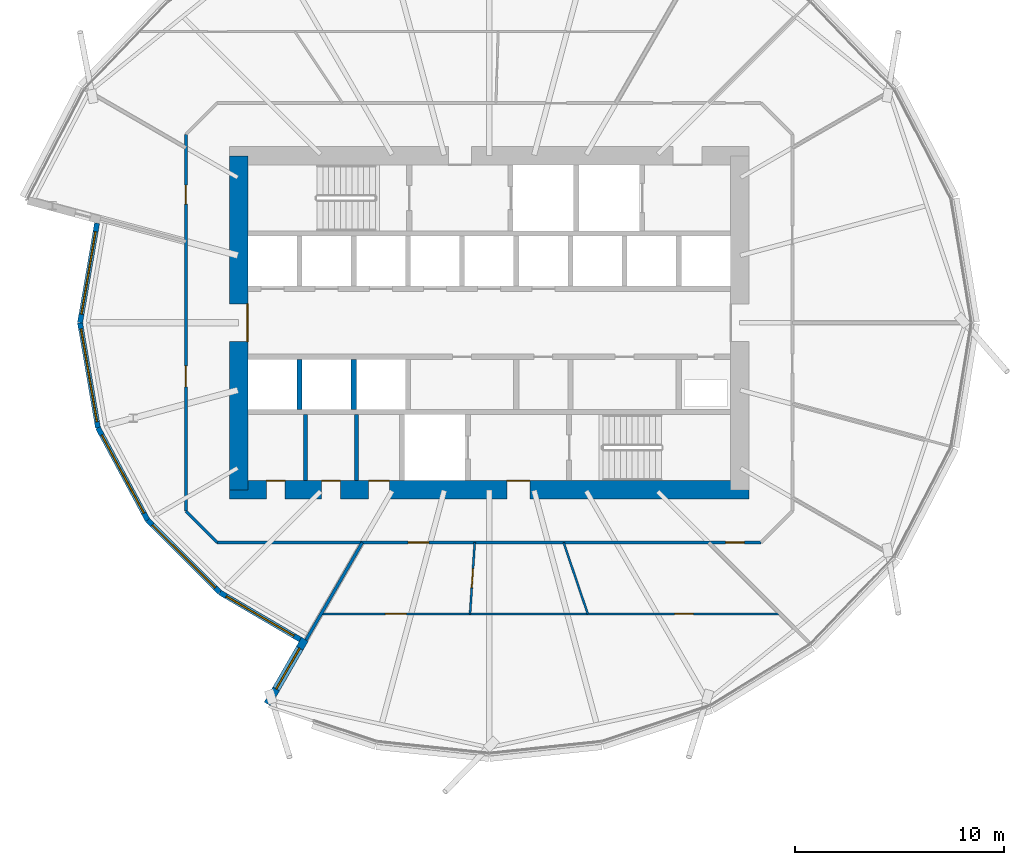
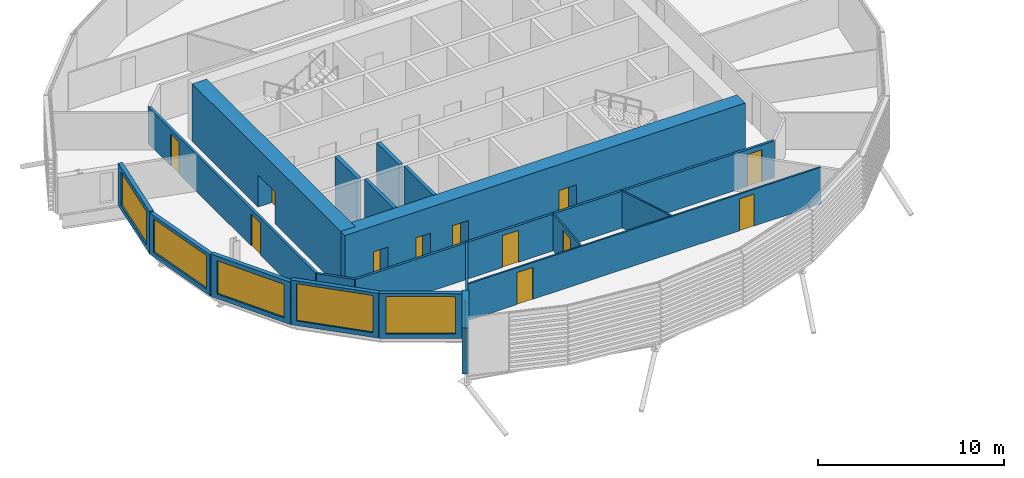
# One storey, part 21 of 37: 19 walls, 12 doors, 6 windows, 18 openings.
"""IFC4 building model written with IfcOpenShell, lengths in metres."""

from ifc_helpers import new_model, si_unit, direction, frame, frame_2d, origin, place, context, subcontext, project, spatial, rectangle, extrude, material, layer, layer_set, type_object, element, fill, save


model = new_model("IFC4")

# Units and contexts
model_context = context("Model", 3, precision=1e-05, world=origin(), true_north=direction((0.0, 1.0)))
body_context = subcontext(model_context, "Body", "Model", "MODEL_VIEW")
ifc_project = project(units=[si_unit("LENGTHUNIT", "METRE"), si_unit("AREAUNIT", "SQUARE_METRE"), si_unit("VOLUMEUNIT", "CUBIC_METRE"), si_unit("PLANEANGLEUNIT", "RADIAN"), si_unit("MASSUNIT", "GRAM", prefix="KILO")], contexts=[model_context])

# Site, building, storey
site_placement = place(None, origin())
site = spatial("IfcSite", under=ifc_project, at=site_placement, CompositionType="ELEMENT")
building_placement = place(site_placement, origin())
building = spatial("IfcBuilding", under=site, at=building_placement, Name="Rimbun Link Towers", CompositionType="ELEMENT")
storey_placement = place(building_placement, frame((0.0, 0.0, 60.39990234375)))
storey = spatial("IfcBuildingStorey", under=building, at=storey_placement, Name="L14", CompositionType="ELEMENT", Elevation=60.39990234375)

# Wall, opening, window
ifc_material_1 = material(Name="Dark enamelled glass spandrel on insulated aluminium backpan", Category="aluminium")
ifc_layer_1 = layer(ifc_material_1, 0.25)
ifc_layer_set_1 = layer_set([ifc_layer_1], Name="CS dark enamelled spandrel wall 250")
wall_type_1 = type_object("IfcWallType", Name="CS dark enamelled spandrel wall 250", PredefinedType="STANDARD", material=ifc_layer_set_1)
wall_1_placement = place(storey_placement, frame((-51.347900390625, 0.0, 0.0), z_axis=(0.0, 0.0, 1.0), x_axis=(0.168166241622, 0.985758649558, 0.0)))
wall_1 = element("IfcWall", 1, at=wall_1_placement, inside=storey, type_object=wall_type_1, Name="Crease spandrel wall", PredefinedType="STANDARD", context=body_context, shape_type="SweptSolid", body=[
    extrude(rectangle(XDim=4.84326171875, YDim=0.25, at=frame_2d((2.421630859375, 0.0))), origin(), (0.0, 0.0, 1.0), 2.78955078125),
])
opening_1_placement = place(wall_1_placement, frame((0.421630859375, 0.0, 0.300048828125)))
opening_1 = element("IfcOpeningElement", 2, at=opening_1_placement, cuts=wall_1, Name="Opening WR40H220", PredefinedType="OPENING", context=body_context, shape_type="SweptSolid", body=[
    extrude(rectangle(XDim=4.0, YDim=2.199951171875, at=frame_2d((2.0, 1.10009765625))), frame((0.0, 0.135009765625, 0.0), z_axis=(0.0, -1.0, 0.0), x_axis=(1.0, 0.0, 0.0)), (0.0, 0.0, 1.0), 0.27001953125),
])
ifc_material_2 = material(Name="Aluminium framed fixed window, dark tinted low-e glass", Category="aluminium")
window_type_1 = type_object("IfcWindowType", Name="WR ribbon window 4000X2200", PartitioningType="SINGLE_PANEL", PredefinedType="WINDOW", material=ifc_material_2)
window_1_placement = place(opening_1_placement, origin())
window_1 = element("IfcWindow", 3, at=window_1_placement, inside=storey, type_object=window_type_1, Name="Crease ribbon window", OverallHeight=2.199951171875, OverallWidth=4.0, PartitioningType="SINGLE_PANEL", PredefinedType="WINDOW", context=body_context, shape_type="SweptSolid", body=[
    extrude(rectangle(XDim=4.0, YDim=2.199951171875, at=frame_2d((2.0, 1.10009765625))), frame((0.0, 0.030029296875, 0.0), z_axis=(0.0, -1.0, 0.0), x_axis=(1.0, 0.0, 0.0)), (0.0, 0.0, 1.0), 0.06005859375),
])
fill(opening_1, window_1)

wall_2_placement = place(storey_placement, frame((-50.48974609375, -5.0302734375, 0.0), z_axis=(0.0, 0.0, 1.0), x_axis=(-0.168168336111, 0.985758292245, 0.0)))
wall_2 = element("IfcWall", 4, at=wall_2_placement, inside=storey, type_object=wall_type_1, Name="Crease spandrel wall", PredefinedType="STANDARD", context=body_context, shape_type="SweptSolid", body=[
    extrude(rectangle(XDim=5.10302734375, YDim=0.25, at=frame_2d((2.551513671875, 0.0))), origin(), (0.0, 0.0, 1.0), 2.711669921875),
])
opening_2_placement = place(wall_2_placement, frame((0.301513671875, 0.0, 0.300048828125)))
opening_2 = element("IfcOpeningElement", 5, at=opening_2_placement, cuts=wall_2, Name="Opening WR45H220", PredefinedType="OPENING", context=body_context, shape_type="SweptSolid", body=[
    extrude(rectangle(XDim=4.5, YDim=2.199951171875, at=frame_2d((2.25, 1.10009765625))), frame((0.0, 0.135009765625, 0.0), z_axis=(0.0, -1.0, 0.0), x_axis=(1.0, 0.0, 0.0)), (0.0, 0.0, 1.0), 0.27001953125),
])
ifc_material_3 = material(Name="Aluminium framed fixed window, dark tinted low-e glass", Category="aluminium")
window_type_2 = type_object("IfcWindowType", Name="WR ribbon window 4500X2200", PartitioningType="SINGLE_PANEL", PredefinedType="WINDOW", material=ifc_material_3)
window_2_placement = place(opening_2_placement, origin())
window_2 = element("IfcWindow", 6, at=window_2_placement, inside=storey, type_object=window_type_2, Name="Crease ribbon window", OverallHeight=2.199951171875, OverallWidth=4.5, PartitioningType="SINGLE_PANEL", PredefinedType="WINDOW", context=body_context, shape_type="SweptSolid", body=[
    extrude(rectangle(XDim=4.5, YDim=2.199951171875, at=frame_2d((2.25, 1.10009765625))), frame((0.0, 0.030029296875, 0.0), z_axis=(0.0, -1.0, 0.0), x_axis=(1.0, 0.0, 0.0)), (0.0, 0.0, 1.0), 0.06005859375),
])
fill(opening_2, window_2)

wall_3_placement = place(storey_placement, frame((-48.107177734375, -9.460693359375, 0.0), z_axis=(0.0, 0.0, 1.0), x_axis=(-0.473630902939, 0.880723434332, 0.0)))
wall_3 = element("IfcWall", 7, at=wall_3_placement, inside=storey, type_object=wall_type_1, Name="Crease spandrel wall", PredefinedType="STANDARD", context=body_context, shape_type="SweptSolid", body=[
    extrude(rectangle(XDim=5.030517578125, YDim=0.25, at=frame_2d((2.51513671875, 0.0))), origin(), (0.0, 0.0, 1.0), 2.78955078125),
])
opening_3_placement = place(wall_3_placement, frame((0.39013671875, 0.0, 0.300048828125)))
opening_3 = element("IfcOpeningElement", 8, at=opening_3_placement, cuts=wall_3, Name="Opening WR42H220", PredefinedType="OPENING", context=body_context, shape_type="SweptSolid", body=[
    extrude(rectangle(XDim=4.25, YDim=2.199951171875, at=frame_2d((2.125, 1.10009765625))), frame((0.0, 0.135009765625, 0.0), z_axis=(0.0, -1.0, 0.0), x_axis=(1.0, 0.0, 0.0)), (0.0, 0.0, 1.0), 0.27001953125),
])
ifc_material_4 = material(Name="Aluminium framed fixed window, dark tinted low-e glass", Category="aluminium")
window_type_3 = type_object("IfcWindowType", Name="WR ribbon window 4250X2200", PartitioningType="SINGLE_PANEL", PredefinedType="WINDOW", material=ifc_material_4)
window_3_placement = place(opening_3_placement, origin())
window_3 = element("IfcWindow", 9, at=window_3_placement, inside=storey, type_object=window_type_3, Name="Crease ribbon window", OverallHeight=2.199951171875, OverallWidth=4.25, PartitioningType="SINGLE_PANEL", PredefinedType="WINDOW", context=body_context, shape_type="SweptSolid", body=[
    extrude(rectangle(XDim=4.25, YDim=2.199951171875, at=frame_2d((2.125, 1.10009765625))), frame((0.0, 0.030029296875, 0.0), z_axis=(0.0, -1.0, 0.0), x_axis=(1.0, 0.0, 0.0)), (0.0, 0.0, 1.0), 0.06005859375),
])
fill(opening_3, window_3)

wall_4_placement = place(storey_placement, frame((-44.64697265625, -12.919677734375, 0.0), z_axis=(0.0, 0.0, 1.0), x_axis=(-0.707231519974, 0.70698202039, 0.0)))
wall_4 = element("IfcWall", 10, at=wall_4_placement, inside=storey, type_object=wall_type_1, Name="Crease spandrel wall", PredefinedType="STANDARD", context=body_context, shape_type="SweptSolid", body=[
    extrude(rectangle(XDim=4.892578125, YDim=0.25, at=frame_2d((2.4462890625, 0.0))), origin(), (0.0, 0.0, 1.0), 2.94677734375),
])
opening_4_placement = place(wall_4_placement, frame((0.3212890625, 0.0, 0.300048828125)))
opening_4 = element("IfcOpeningElement", 11, at=opening_4_placement, cuts=wall_4, Name="Opening WR42H245", PredefinedType="OPENING", context=body_context, shape_type="SweptSolid", body=[
    extrude(rectangle(XDim=4.25, YDim=2.449951171875, at=frame_2d((2.125, 1.22509765625))), frame((0.0, 0.135009765625, 0.0), z_axis=(0.0, -1.0, 0.0), x_axis=(1.0, 0.0, 0.0)), (0.0, 0.0, 1.0), 0.27001953125),
])
ifc_material_5 = material(Name="Aluminium framed fixed window, dark tinted low-e glass", Category="aluminium")
window_type_4 = type_object("IfcWindowType", Name="WR ribbon window 4250X2450", PartitioningType="SINGLE_PANEL", PredefinedType="WINDOW", material=ifc_material_5)
window_4_placement = place(opening_4_placement, origin())
window_4 = element("IfcWindow", 12, at=window_4_placement, inside=storey, type_object=window_type_4, Name="Crease ribbon window", OverallHeight=2.449951171875, OverallWidth=4.25, PartitioningType="SINGLE_PANEL", PredefinedType="WINDOW", context=body_context, shape_type="SweptSolid", body=[
    extrude(rectangle(XDim=4.25, YDim=2.449951171875, at=frame_2d((2.125, 1.22509765625))), frame((0.0, 0.030029296875, 0.0), z_axis=(0.0, -1.0, 0.0), x_axis=(1.0, 0.0, 0.0)), (0.0, 0.0, 1.0), 0.06005859375),
])
fill(opening_4, window_4)

wall_5_placement = place(storey_placement, frame((-40.79931640625, -15.173583984375, 0.0), z_axis=(0.0, 0.0, 1.0), x_axis=(-0.86285607233, 0.505449699222, 0.0)))
wall_5 = element("IfcWall", 13, at=wall_5_placement, inside=storey, type_object=wall_type_1, Name="Crease spandrel wall", PredefinedType="STANDARD", context=body_context, shape_type="SweptSolid", body=[
    extrude(rectangle(XDim=4.459228515625, YDim=0.25, at=frame_2d((2.2294921875, 0.0))), origin(), (0.0, 0.0, 1.0), 2.94677734375),
])
opening_5_placement = place(wall_5_placement, frame((0.354736328125, 0.0, 0.300048828125)))
opening_5 = element("IfcOpeningElement", 14, at=opening_5_placement, cuts=wall_5, Name="Opening WR38H245", PredefinedType="OPENING", context=body_context, shape_type="SweptSolid", body=[
    extrude(rectangle(XDim=3.75, YDim=2.449951171875, at=frame_2d((1.875, 1.22509765625))), frame((0.0, 0.135009765625, 0.0), z_axis=(0.0, -1.0, 0.0), x_axis=(1.0, 0.0, 0.0)), (0.0, 0.0, 1.0), 0.27001953125),
])
ifc_material_6 = material(Name="Aluminium framed fixed window, dark tinted low-e glass", Category="aluminium")
window_type_5 = type_object("IfcWindowType", Name="WR ribbon window 3750X2450", PartitioningType="SINGLE_PANEL", PredefinedType="WINDOW", material=ifc_material_6)
window_5_placement = place(opening_5_placement, origin())
window_5 = element("IfcWindow", 15, at=window_5_placement, inside=storey, type_object=window_type_5, Name="Crease ribbon window", OverallHeight=2.449951171875, OverallWidth=3.75, PartitioningType="SINGLE_PANEL", PredefinedType="WINDOW", context=body_context, shape_type="SweptSolid", body=[
    extrude(rectangle(XDim=3.75, YDim=2.449951171875, at=frame_2d((1.875, 1.22509765625))), frame((0.0, 0.030029296875, 0.0), z_axis=(0.0, -1.0, 0.0), x_axis=(1.0, 0.0, 0.0)), (0.0, 0.0, 1.0), 0.06005859375),
])
fill(opening_5, window_5)

ifc_material_7 = material(Name="Dark enamelled glass spandrel on insulated aluminium backpan", Category="aluminium")
ifc_layer_2 = layer(ifc_material_7, 0.3701171875)
ifc_layer_set_2 = layer_set([ifc_layer_2], Name="CS dark enamelled spandrel wall 370")
wall_type_2 = type_object("IfcWallType", Name="CS dark enamelled spandrel wall 370", PredefinedType="STANDARD", material=ifc_layer_set_2)
wall_6_placement = place(storey_placement, frame((-42.3671875, -18.259765625, 0.0), z_axis=(0.0, 0.0, 1.0), x_axis=(0.499931032753, 0.866065218382, 0.0)))
wall_6 = element("IfcWall", 16, at=wall_6_placement, inside=storey, type_object=wall_type_2, Name="Crease spandrel wall", PredefinedType="STANDARD", context=body_context, shape_type="SweptSolid", body=[
    extrude(rectangle(XDim=3.580078125, YDim=0.3701171875, at=frame_2d((1.7900390625, 0.0))), origin(), (0.0, 0.0, 1.0), 3.027587890625),
])
opening_6_placement = place(wall_6_placement, frame((0.82958984375, 0.0, 0.300048828125)))
opening_6 = element("IfcOpeningElement", 17, at=opening_6_placement, cuts=wall_6, Name="Opening WR22H245", PredefinedType="OPENING", context=body_context, shape_type="SweptSolid", body=[
    extrude(rectangle(XDim=2.25, YDim=2.449951171875, at=frame_2d((1.125, 1.22509765625))), frame((0.0, 0.195068359375, 0.0), z_axis=(0.0, -1.0, 0.0), x_axis=(1.0, 0.0, 0.0)), (0.0, 0.0, 1.0), 0.39013671875),
])
ifc_material_8 = material(Name="Aluminium framed fixed window, dark tinted low-e glass", Category="aluminium")
window_type_6 = type_object("IfcWindowType", Name="WR ribbon window 2250X2450", PartitioningType="SINGLE_PANEL", PredefinedType="WINDOW", material=ifc_material_8)
window_6_placement = place(opening_6_placement, origin())
window_6 = element("IfcWindow", 18, at=window_6_placement, inside=storey, type_object=window_type_6, Name="Crease ribbon window", OverallHeight=2.449951171875, OverallWidth=2.25, PartitioningType="SINGLE_PANEL", PredefinedType="WINDOW", context=body_context, shape_type="SweptSolid", body=[
    extrude(rectangle(XDim=2.25, YDim=2.449951171875, at=frame_2d((1.125, 1.22509765625))), frame((0.0, 0.030029296875, 0.0), z_axis=(0.0, -1.0, 0.0), x_axis=(1.0, 0.0, 0.0)), (0.0, 0.0, 1.0), 0.06005859375),
])
fill(opening_6, window_6)

# Walls
ifc_material_9 = material(Name="Masonry blockwork", Category="masonry")
ifc_layer_3 = layer(ifc_material_9, 0.199951171875)
ifc_layer_set_3 = layer_set([ifc_layer_3], Name="Core partition 200")
wall_type_3 = type_object("IfcWallType", Name="Core partition 200", PredefinedType="PARTITIONING", material=ifc_layer_set_3)
for number, where, z_axis, x_axis, name in (
    (19, (-40.550048828125, -4.39990234375, 0.0), (0.0, 0.0, 1.0), (0.0, -1.0, 0.0), "L14 T1 core wall C1"),
    (20, (-38.10009765625, -4.39990234375, 0.0), (0.0, 0.0, 1.0), (0.0, -1.0, 0.0), "L14 T1 core wall C2"),
):
    element("IfcWall", number, at=place(storey_placement, frame(where, z_axis=z_axis, x_axis=x_axis)), inside=storey, type_object=wall_type_3, Name=name, PredefinedType="PARTITIONING", context=body_context, shape_type="SweptSolid", body=[
        extrude(rectangle(XDim=3.150146484375, YDim=0.199951171875, at=frame_2d((1.5751953125, 0.0))), origin(), (0.0, 0.0, 1.0), 3.800048828125),
    ])

# Wall, openings, doors
ifc_material_10 = material(Name="Concrete C60/75", Category="concrete")
ifc_layer_4 = layer(ifc_material_10, 0.89990234375)
ifc_layer_set_4 = layer_set([ifc_layer_4], Name="Core shear wall 900")
wall_type_4 = type_object("IfcWallType", Name="Core shear wall 900", PredefinedType="SHEAR", material=ifc_layer_set_4)
wall_7_placement = place(storey_placement, frame((-44.199951171875, -8.0, 0.0), z_axis=(0.0, 0.0, 1.0), x_axis=(1.0, 0.0, 0.0)))
wall_7 = element("IfcWall", 21, at=wall_7_placement, inside=storey, type_object=wall_type_4, Name="L14 T1 core wall S", PredefinedType="SHEAR", context=body_context, shape_type="SweptSolid", body=[
    extrude(rectangle(XDim=24.89990234375, YDim=0.89990234375, at=frame_2d((12.449951171875, 0.0))), origin(), (0.0, 0.0, 1.0), 3.800048828125),
])
opening_7_placement = place(wall_7_placement, frame((13.300048828125, 0.0, 0.0)))
opening_7 = element("IfcOpeningElement", 22, at=opening_7_placement, cuts=wall_7, Name="Opening C1DCF01S", PredefinedType="OPENING", context=body_context, shape_type="SweptSolid", body=[
    extrude(rectangle(XDim=1.10009765625, YDim=2.10009765625, at=frame_2d((0.550048828125, 1.050048828125))), frame((0.0, 0.4599609375, 0.0), z_axis=(0.0, -1.0, 0.0), x_axis=(1.0, 0.0, 0.0)), (0.0, 0.0, 1.0), 0.919921875),
])
opening_8_placement = place(wall_7_placement, frame((1.77490234375, 0.0, 0.0)))
opening_8 = element("IfcOpeningElement", 23, at=opening_8_placement, cuts=wall_7, Name="Opening C1DWC02S", PredefinedType="OPENING", context=body_context, shape_type="SweptSolid", body=[
    extrude(rectangle(XDim=0.89990234375, YDim=2.10009765625, at=frame_2d((0.449951171875, 1.050048828125))), frame((0.0, 0.4599609375, 0.0), z_axis=(0.0, -1.0, 0.0), x_axis=(1.0, 0.0, 0.0)), (0.0, 0.0, 1.0), 0.919921875),
])
opening_9_placement = place(wall_7_placement, frame((4.425048828125, 0.0, 0.0)))
opening_9 = element("IfcOpeningElement", 24, at=opening_9_placement, cuts=wall_7, Name="Opening C1DWC03S", PredefinedType="OPENING", context=body_context, shape_type="SweptSolid", body=[
    extrude(rectangle(XDim=0.89990234375, YDim=2.10009765625, at=frame_2d((0.449951171875, 1.050048828125))), frame((0.0, 0.4599609375, 0.0), z_axis=(0.0, -1.0, 0.0), x_axis=(1.0, 0.0, 0.0)), (0.0, 0.0, 1.0), 0.919921875),
])
opening_10_placement = place(wall_7_placement, frame((6.675048828125, 0.0, 0.0)))
opening_10 = element("IfcOpeningElement", 25, at=opening_10_placement, cuts=wall_7, Name="Opening C1DAW04S", PredefinedType="OPENING", context=body_context, shape_type="SweptSolid", body=[
    extrude(rectangle(XDim=1.0, YDim=2.10009765625, at=frame_2d((0.5, 1.050048828125))), frame((0.0, 0.4599609375, 0.0), z_axis=(0.0, -1.0, 0.0), x_axis=(1.0, 0.0, 0.0)), (0.0, 0.0, 1.0), 0.919921875),
])
ifc_material_11 = material(Name="Timber", Category="wood")
door_type_1 = type_object("IfcDoorType", Name="Accessible WC door", OperationType="SINGLE_SWING_LEFT", PredefinedType="DOOR", material=ifc_material_11)
door_1_placement = place(opening_10_placement, origin())
door_1 = element("IfcDoor", 26, at=door_1_placement, inside=storey, type_object=door_type_1, Name="L14 T1 accessible wc door", OperationType="SINGLE_SWING_RIGHT", OverallHeight=2.10009765625, OverallWidth=1.0, PredefinedType="DOOR", context=body_context, shape_type="SweptSolid", body=[
    extrude(rectangle(XDim=1.0, YDim=2.10009765625, at=frame_2d((0.5, 1.050048828125))), frame((0.0, 0.4501953125, 0.0), z_axis=(0.0, -1.0, 0.0), x_axis=(1.0, 0.0, 0.0)), (0.0, 0.0, 1.0), 0.050048828125),
])
fill(opening_10, door_1)
ifc_material_12 = material(Name="Steel fire door set", Category="steel")
door_type_2 = type_object("IfcDoorType", Name="Core fire door single", OperationType="SINGLE_SWING_LEFT", PredefinedType="DOOR", material=ifc_material_12)
door_2_placement = place(opening_7_placement, origin())
door_2 = element("IfcDoor", 27, at=door_2_placement, inside=storey, type_object=door_type_2, Name="L14 T1 firefighting lobby s door", OperationType="SINGLE_SWING_RIGHT", OverallHeight=2.10009765625, OverallWidth=1.10009765625, PredefinedType="DOOR", context=body_context, shape_type="SweptSolid", body=[
    extrude(rectangle(XDim=1.10009765625, YDim=2.10009765625, at=frame_2d((0.550048828125, 1.050048828125))), frame((0.0, 0.4501953125, 0.0), z_axis=(0.0, -1.0, 0.0), x_axis=(1.0, 0.0, 0.0)), (0.0, 0.0, 1.0), 0.050048828125),
])
fill(opening_7, door_2)
ifc_material_13 = material(Name="Timber", Category="wood")
door_type_3 = type_object("IfcDoorType", Name="WC door", OperationType="SINGLE_SWING_LEFT", PredefinedType="DOOR", material=ifc_material_13)
door_3_placement = place(opening_8_placement, origin())
door_3 = element("IfcDoor", 28, at=door_3_placement, inside=storey, type_object=door_type_3, Name="L14 T1 male wc door", OperationType="SINGLE_SWING_RIGHT", OverallHeight=2.10009765625, OverallWidth=0.89990234375, PredefinedType="DOOR", context=body_context, shape_type="SweptSolid", body=[
    extrude(rectangle(XDim=0.89990234375, YDim=2.10009765625, at=frame_2d((0.449951171875, 1.050048828125))), frame((0.0, 0.4501953125, 0.0), z_axis=(0.0, -1.0, 0.0), x_axis=(1.0, 0.0, 0.0)), (0.0, 0.0, 1.0), 0.050048828125),
])
fill(opening_8, door_3)
door_4_placement = place(opening_9_placement, origin())
door_4 = element("IfcDoor", 29, at=door_4_placement, inside=storey, type_object=door_type_3, Name="L14 T1 female wc door", OperationType="SINGLE_SWING_LEFT", OverallHeight=2.10009765625, OverallWidth=0.89990234375, PredefinedType="DOOR", context=body_context, shape_type="SweptSolid", body=[
    extrude(rectangle(XDim=0.89990234375, YDim=2.10009765625, at=frame_2d((0.449951171875, 1.050048828125))), frame((0.0, 0.4501953125, 0.0), z_axis=(0.0, -1.0, 0.0), x_axis=(1.0, 0.0, 0.0)), (0.0, 0.0, 1.0), 0.050048828125),
])
fill(opening_9, door_4)

# Wall, opening, door
wall_8_placement = place(storey_placement, frame((-43.75, -8.0, 0.0), z_axis=(0.0, 0.0, 1.0), x_axis=(0.0, 1.0, 0.0)))
wall_8 = element("IfcWall", 30, at=wall_8_placement, inside=storey, type_object=wall_type_4, Name="L14 T1 core wall W", PredefinedType="SHEAR", context=body_context, shape_type="SweptSolid", body=[
    extrude(rectangle(XDim=16.0, YDim=0.89990234375, at=frame_2d((8.0, 0.0))), origin(), (0.0, 0.0, 1.0), 3.800048828125),
])
opening_11_placement = place(wall_8_placement, frame((7.10009765625, 0.0, 0.0)))
opening_11 = element("IfcOpeningElement", 31, at=opening_11_placement, cuts=wall_8, Name="Opening C1DCL01W", PredefinedType="OPENING", context=body_context, shape_type="SweptSolid", body=[
    extrude(rectangle(XDim=1.800048828125, YDim=2.10009765625, at=frame_2d((0.89990234375, 1.050048828125))), frame((0.0, 0.4599609375, 0.0), z_axis=(0.0, -1.0, 0.0), x_axis=(1.0, 0.0, 0.0)), (0.0, 0.0, 1.0), 0.919921875),
])
ifc_material_14 = material(Name="Steel fire door set", Category="steel")
door_type_4 = type_object("IfcDoorType", Name="Core lobby door double", OperationType="DOUBLE_DOOR_SINGLE_SWING", PredefinedType="DOOR", material=ifc_material_14)
door_5_placement = place(opening_11_placement, origin())
door_5 = element("IfcDoor", 32, at=door_5_placement, inside=storey, type_object=door_type_4, Name="L14 T1 lift lobby door", OperationType="DOUBLE_DOOR_SINGLE_SWING", OverallHeight=2.10009765625, OverallWidth=1.800048828125, PredefinedType="DOOR", context=body_context, shape_type="SweptSolid", body=[
    extrude(rectangle(XDim=1.800048828125, YDim=2.10009765625, at=frame_2d((0.89990234375, 1.050048828125))), frame((0.0, -0.39990234375, 0.0), z_axis=(0.0, -1.0, 0.0), x_axis=(1.0, 0.0, 0.0)), (0.0, 0.0, 1.0), 0.050048828125),
])
fill(opening_11, door_5)

# Wall, openings, doors
ifc_material_15 = material(Name="Plasterboard on steel stud, mineral wool", Category="steel")
ifc_layer_5 = layer(ifc_material_15, 0.14990234375)
ifc_layer_set_5 = layer_set([ifc_layer_5], Name="Corridor wall EI 30 150 mm")
wall_type_5 = type_object("IfcWallType", Name="Corridor wall EI 30 150 mm", PredefinedType="PARTITIONING", material=ifc_layer_set_5)
wall_9_placement = place(storey_placement, frame((-18.723388671875, -10.52490234375, 0.0), z_axis=(0.0, 0.0, 1.0), x_axis=(-1.0, 0.0, 0.0)))
wall_9 = element("IfcWall", 33, at=wall_9_placement, inside=storey, type_object=wall_type_5, Name="Corridor wall EI 30 150 mm", PredefinedType="PARTITIONING", context=body_context, shape_type="SweptSolid", body=[
    extrude(rectangle(XDim=26.05322265625, YDim=0.14990234375, at=frame_2d((13.026611328125, 0.0))), origin(), (0.0, 0.0, 1.0), 2.420166015625),
])
opening_12_placement = place(wall_9_placement, frame((15.91064453125, 0.0, 0.0)))
opening_12 = element("IfcOpeningElement", 34, at=opening_12_placement, cuts=wall_9, Name="Opening D01", PredefinedType="OPENING", context=body_context, shape_type="SweptSolid", body=[
    extrude(rectangle(XDim=1.0, YDim=2.10009765625, at=frame_2d((0.5, 1.050048828125))), frame((0.0, 0.0849609375, 0.0), z_axis=(0.0, -1.0, 0.0), x_axis=(1.0, 0.0, 0.0)), (0.0, 0.0, 1.0), 0.169921875),
])
opening_13_placement = place(wall_9_placement, frame((0.80078125, 0.0, 0.0)))
opening_13 = element("IfcOpeningElement", 35, at=opening_13_placement, cuts=wall_9, Name="Opening D02", PredefinedType="OPENING", context=body_context, shape_type="SweptSolid", body=[
    extrude(rectangle(XDim=0.89990234375, YDim=2.10009765625, at=frame_2d((0.449951171875, 1.050048828125))), frame((0.0, 0.0849609375, 0.0), z_axis=(0.0, -1.0, 0.0), x_axis=(1.0, 0.0, 0.0)), (0.0, 0.0, 1.0), 0.169921875),
])
ifc_material_16 = material(Name="Fire-resisting timber door leaf", Category="wood")
door_type_5 = type_object("IfcDoorType", Name="Fire door FD30S 1000", OperationType="NOTDEFINED", PredefinedType="DOOR", material=ifc_material_16)
door_6_placement = place(opening_12_placement, origin())
door_6 = element("IfcDoor", 36, at=door_6_placement, inside=storey, type_object=door_type_5, Name="Fire door FD30S 1000 to Reception", OperationType="SINGLE_SWING_LEFT", OverallHeight=2.10009765625, OverallWidth=1.0, PredefinedType="DOOR", context=body_context, shape_type="SweptSolid", body=[
    extrude(rectangle(XDim=1.0, YDim=2.10009765625, at=frame_2d((0.5, 1.050048828125))), frame((0.0, 0.02490234375, 0.0), z_axis=(0.0, -1.0, 0.0), x_axis=(1.0, 0.0, 0.0)), (0.0, 0.0, 1.0), 0.050048828125),
])
fill(opening_12, door_6)
ifc_material_17 = material(Name="Fire-resisting timber door leaf", Category="wood")
door_type_6 = type_object("IfcDoorType", Name="Fire door FD30S 900", OperationType="NOTDEFINED", PredefinedType="DOOR", material=ifc_material_17)
door_7_placement = place(opening_13_placement, origin())
door_7 = element("IfcDoor", 37, at=door_7_placement, inside=storey, type_object=door_type_6, Name="Fire door FD30S 900 to Cellular office", OperationType="SINGLE_SWING_LEFT", OverallHeight=2.10009765625, OverallWidth=0.89990234375, PredefinedType="DOOR", context=body_context, shape_type="SweptSolid", body=[
    extrude(rectangle(XDim=0.89990234375, YDim=2.10009765625, at=frame_2d((0.449951171875, 1.050048828125))), frame((0.0, 0.02490234375, 0.0), z_axis=(0.0, -1.0, 0.0), x_axis=(1.0, 0.0, 0.0)), (0.0, 0.0, 1.0), 0.050048828125),
])
fill(opening_13, door_7)

# Wall
wall_10_placement = place(storey_placement, frame((-46.27490234375, -9.026611328125, 0.0), z_axis=(0.0, 0.0, 1.0), x_axis=(0.707106781187, -0.707106781187, 0.0)))
element("IfcWall", 38, at=wall_10_placement, inside=storey, type_object=wall_type_5, Name="Corridor wall EI 30 150 mm", PredefinedType="PARTITIONING", context=body_context, shape_type="SweptSolid", body=[
    extrude(rectangle(XDim=2.118896484375, YDim=0.14990234375, at=frame_2d((1.0595703125, 0.0))), origin(), (0.0, 0.0, 1.0), 2.420166015625),
])

# Wall, openings, doors
wall_11_placement = place(storey_placement, frame((-46.27490234375, -9.026611328125, 0.0), z_axis=(0.0, 0.0, 1.0), x_axis=(0.0, 1.0, 0.0)))
wall_11 = element("IfcWall", 39, at=wall_11_placement, inside=storey, type_object=wall_type_5, Name="Corridor wall EI 30 150 mm", PredefinedType="PARTITIONING", context=body_context, shape_type="SweptSolid", body=[
    extrude(rectangle(XDim=18.05322265625, YDim=0.14990234375, at=frame_2d((9.026611328125, 0.0))), origin(), (0.0, 0.0, 1.0), 2.420166015625),
])
opening_14_placement = place(wall_11_placement, frame((14.7158203125, 0.0, 0.0)))
opening_14 = element("IfcOpeningElement", 40, at=opening_14_placement, cuts=wall_11, Name="Opening D02", PredefinedType="OPENING", context=body_context, shape_type="SweptSolid", body=[
    extrude(rectangle(XDim=0.89990234375, YDim=2.10009765625, at=frame_2d((0.449951171875, 1.050048828125))), frame((0.0, 0.0849609375, 0.0), z_axis=(0.0, -1.0, 0.0), x_axis=(1.0, 0.0, 0.0)), (0.0, 0.0, 1.0), 0.169921875),
])
opening_15_placement = place(wall_11_placement, frame((5.95947265625, 0.0, 0.0)))
opening_15 = element("IfcOpeningElement", 41, at=opening_15_placement, cuts=wall_11, Name="Opening D01", PredefinedType="OPENING", context=body_context, shape_type="SweptSolid", body=[
    extrude(rectangle(XDim=1.0, YDim=2.10009765625, at=frame_2d((0.5, 1.050048828125))), frame((0.0, 0.0849609375, 0.0), z_axis=(0.0, -1.0, 0.0), x_axis=(1.0, 0.0, 0.0)), (0.0, 0.0, 1.0), 0.169921875),
])
door_8_placement = place(opening_15_placement, origin())
door_8 = element("IfcDoor", 42, at=door_8_placement, inside=storey, type_object=door_type_5, Name="Fire door FD30S 1000 to Terrace office", OperationType="SINGLE_SWING_RIGHT", OverallHeight=2.10009765625, OverallWidth=1.0, PredefinedType="DOOR", context=body_context, shape_type="SweptSolid", body=[
    extrude(rectangle(XDim=1.0, YDim=2.10009765625, at=frame_2d((0.5, 1.050048828125))), frame((0.0, 0.02490234375, 0.0), z_axis=(0.0, -1.0, 0.0), x_axis=(1.0, 0.0, 0.0)), (0.0, 0.0, 1.0), 0.050048828125),
])
fill(opening_15, door_8)
door_9_placement = place(opening_14_placement, origin())
door_9 = element("IfcDoor", 43, at=door_9_placement, inside=storey, type_object=door_type_6, Name="Fire door FD30S 900 to Print room", OperationType="SINGLE_SWING_LEFT", OverallHeight=2.10009765625, OverallWidth=0.89990234375, PredefinedType="DOOR", context=body_context, shape_type="SweptSolid", body=[
    extrude(rectangle(XDim=0.89990234375, YDim=2.10009765625, at=frame_2d((0.449951171875, 1.050048828125))), frame((0.0, 0.02490234375, 0.0), z_axis=(0.0, -1.0, 0.0), x_axis=(1.0, 0.0, 0.0)), (0.0, 0.0, 1.0), 0.050048828125),
])
fill(opening_14, door_9)

# Wall, opening, door
ifc_material_18 = material(Name="Plasterboard on steel stud", Category="steel")
ifc_layer_6 = layer(ifc_material_18, 0.10009765625)
ifc_layer_set_6 = layer_set([ifc_layer_6], Name="Plasterboard partition 100 mm")
wall_type_6 = type_object("IfcWallType", Name="Plasterboard partition 100 mm", PredefinedType="PARTITIONING", material=ifc_layer_set_6)
wall_12_placement = place(storey_placement, frame((-32.44140625, -10.52490234375, 0.0), z_axis=(0.0, 0.0, 1.0), x_axis=(-0.065530908468, -0.997850539928, 0.0)))
wall_12 = element("IfcWall", 44, at=wall_12_placement, inside=storey, type_object=wall_type_6, Name="Plasterboard partition 100 mm", PredefinedType="PARTITIONING", context=body_context, shape_type="SweptSolid", body=[
    extrude(rectangle(XDim=3.427490234375, YDim=0.10009765625, at=frame_2d((1.7138671875, 0.0))), origin(), (0.0, 0.0, 1.0), 2.420166015625),
])
opening_16_placement = place(wall_12_placement, frame((1.263671875, 0.0, 0.0)))
opening_16 = element("IfcOpeningElement", 45, at=opening_16_placement, cuts=wall_12, Name="Opening D04", PredefinedType="OPENING", context=body_context, shape_type="SweptSolid", body=[
    extrude(rectangle(XDim=0.89990234375, YDim=2.10009765625, at=frame_2d((0.449951171875, 1.050048828125))), frame((0.0, 0.06005859375, 0.0), z_axis=(0.0, -1.0, 0.0), x_axis=(1.0, 0.0, 0.0)), (0.0, 0.0, 1.0), 0.1201171875),
])
ifc_material_19 = material(Name="Timber door leaf", Category="wood")
door_type_7 = type_object("IfcDoorType", Name="Flush door 900", OperationType="NOTDEFINED", PredefinedType="DOOR", material=ifc_material_19)
door_10_placement = place(opening_16_placement, origin())
door_10 = element("IfcDoor", 46, at=door_10_placement, inside=storey, type_object=door_type_7, Name="Flush door 900 to Meeting room", OperationType="SINGLE_SWING_LEFT", OverallHeight=2.10009765625, OverallWidth=0.89990234375, PredefinedType="DOOR", context=body_context, shape_type="SweptSolid", body=[
    extrude(rectangle(XDim=0.89990234375, YDim=2.10009765625, at=frame_2d((0.449951171875, 1.050048828125))), frame((0.0, 0.02490234375, 0.0), z_axis=(0.0, -1.0, 0.0), x_axis=(1.0, 0.0, 0.0)), (0.0, 0.0, 1.0), 0.050048828125),
])
fill(opening_16, door_10)

# Wall, openings, doors
wall_13_placement = place(storey_placement, frame((-17.804931640625, -13.945068359375, 0.0), z_axis=(0.0, 0.0, 1.0), x_axis=(-1.0, 0.0, 0.0)))
wall_13 = element("IfcWall", 47, at=wall_13_placement, inside=storey, type_object=wall_type_6, Name="Plasterboard partition 100 mm", PredefinedType="PARTITIONING", context=body_context, shape_type="SweptSolid", body=[
    extrude(rectangle(XDim=21.996337890625, YDim=0.10009765625, at=frame_2d((10.998046875, 0.0))), origin(), (0.0, 0.0, 1.0), 2.420166015625),
])
opening_17_placement = place(wall_13_placement, frame((17.91357421875, 0.0, 0.0)))
opening_17 = element("IfcOpeningElement", 48, at=opening_17_placement, cuts=wall_13, Name="Opening D03", PredefinedType="OPENING", context=body_context, shape_type="SweptSolid", body=[
    extrude(rectangle(XDim=1.0, YDim=2.10009765625, at=frame_2d((0.5, 1.050048828125))), frame((0.0, 0.06005859375, 0.0), z_axis=(0.0, -1.0, 0.0), x_axis=(1.0, 0.0, 0.0)), (0.0, 0.0, 1.0), 0.1201171875),
])
opening_18_placement = place(wall_13_placement, frame((4.160888671875, 0.0, 0.0)))
opening_18 = element("IfcOpeningElement", 49, at=opening_18_placement, cuts=wall_13, Name="Opening D04", PredefinedType="OPENING", context=body_context, shape_type="SweptSolid", body=[
    extrude(rectangle(XDim=0.89990234375, YDim=2.10009765625, at=frame_2d((0.449951171875, 1.050048828125))), frame((0.0, 0.06005859375, 0.0), z_axis=(0.0, -1.0, 0.0), x_axis=(1.0, 0.0, 0.0)), (0.0, 0.0, 1.0), 0.1201171875),
])
ifc_material_20 = material(Name="Timber door leaf", Category="wood")
door_type_8 = type_object("IfcDoorType", Name="Flush door 1000", OperationType="NOTDEFINED", PredefinedType="DOOR", material=ifc_material_20)
door_11_placement = place(opening_17_placement, origin())
door_11 = element("IfcDoor", 50, at=door_11_placement, inside=storey, type_object=door_type_8, Name="Flush door 1000 to Open office", OperationType="SINGLE_SWING_RIGHT", OverallHeight=2.10009765625, OverallWidth=1.0, PredefinedType="DOOR", context=body_context, shape_type="SweptSolid", body=[
    extrude(rectangle(XDim=1.0, YDim=2.10009765625, at=frame_2d((0.5, 1.050048828125))), frame((0.0, 0.02490234375, 0.0), z_axis=(0.0, -1.0, 0.0), x_axis=(1.0, 0.0, 0.0)), (0.0, 0.0, 1.0), 0.050048828125),
])
fill(opening_17, door_11)
door_12_placement = place(opening_18_placement, origin())
door_12 = element("IfcDoor", 51, at=door_12_placement, inside=storey, type_object=door_type_7, Name="Flush door 900 to Print room", OperationType="SINGLE_SWING_LEFT", OverallHeight=2.10009765625, OverallWidth=0.89990234375, PredefinedType="DOOR", context=body_context, shape_type="SweptSolid", body=[
    extrude(rectangle(XDim=0.89990234375, YDim=2.10009765625, at=frame_2d((0.449951171875, 1.050048828125))), frame((0.0, 0.02490234375, 0.0), z_axis=(0.0, -1.0, 0.0), x_axis=(1.0, 0.0, 0.0)), (0.0, 0.0, 1.0), 0.050048828125),
])
fill(opening_18, door_12)

# Walls
wall_14_placement = place(storey_placement, frame((-27.026611328125, -13.945068359375, 0.0), z_axis=(0.0, 0.0, 1.0), x_axis=(-0.32080801193, 0.947144244285, 0.0)))
element("IfcWall", 52, at=wall_14_placement, inside=storey, type_object=wall_type_6, Name="Plasterboard partition 100 mm", PredefinedType="PARTITIONING", context=body_context, shape_type="SweptSolid", body=[
    extrude(rectangle(XDim=3.611083984375, YDim=0.10009765625, at=frame_2d((1.8056640625, 0.0))), origin(), (0.0, 0.0, 1.0), 2.420166015625),
])
ifc_material_21 = material(Name="Concrete C60/75", Category="concrete")
ifc_layer_7 = layer(ifc_material_21, 0.25)
ifc_layer_set_7 = layer_set([ifc_layer_7], Name="Shaft wall 250")
wall_type_7 = type_object("IfcWallType", Name="Shaft wall 250", PredefinedType="SHEAR", material=ifc_layer_set_7)
for number, where, z_axis, x_axis, name in (
    (53, (-40.83056640625, -4.14990234375, 0.0), (0.0, 0.0, 1.0), (0.0, 1.0, 0.0), "L14 T1 core wall DS0"),
    (54, (-38.236083984375, -4.14990234375, 0.0), (0.0, 0.0, 1.0), (0.0, 1.0, 0.0), "L14 T1 core wall DS1"),
):
    element("IfcWall", number, at=place(storey_placement, frame(where, z_axis=z_axis, x_axis=x_axis)), inside=storey, type_object=wall_type_7, Name=name, PredefinedType="SHEAR", context=body_context, shape_type="SweptSolid", body=[
        extrude(rectangle(XDim=2.39990234375, YDim=0.25, at=frame_2d((1.199951171875, 0.0))), origin(), (0.0, 0.0, 1.0), 3.800048828125),
    ])
ifc_material_22 = material(Name="Plasterboard on steel stud, mineral wool", Category="steel")
ifc_layer_8 = layer(ifc_material_22, 0.14990234375)
ifc_layer_set_8 = layer_set([ifc_layer_8], Name="Tenancy separation wall EI 60 150 mm")
wall_type_8 = type_object("IfcWallType", Name="Tenancy separation wall EI 60 150 mm", PredefinedType="PARTITIONING", material=ifc_layer_set_8)
wall_15_placement = place(storey_placement, frame((-37.82666015625, -10.52490234375, 0.0), z_axis=(0.0, 0.0, 1.0), x_axis=(-0.499978670142, -0.866037718234, 0.0)))
element("IfcWall", 55, at=wall_15_placement, inside=storey, type_object=wall_type_8, Name="Tenancy separation wall EI 60 150 mm", PredefinedType="PARTITIONING", context=body_context, shape_type="SweptSolid", body=[
    extrude(rectangle(XDim=5.388916015625, YDim=0.14990234375, at=frame_2d((2.6943359375, 0.0))), origin(), (0.0, 0.0, 1.0), 2.420166015625),
])

save(model, "model.ifc")
